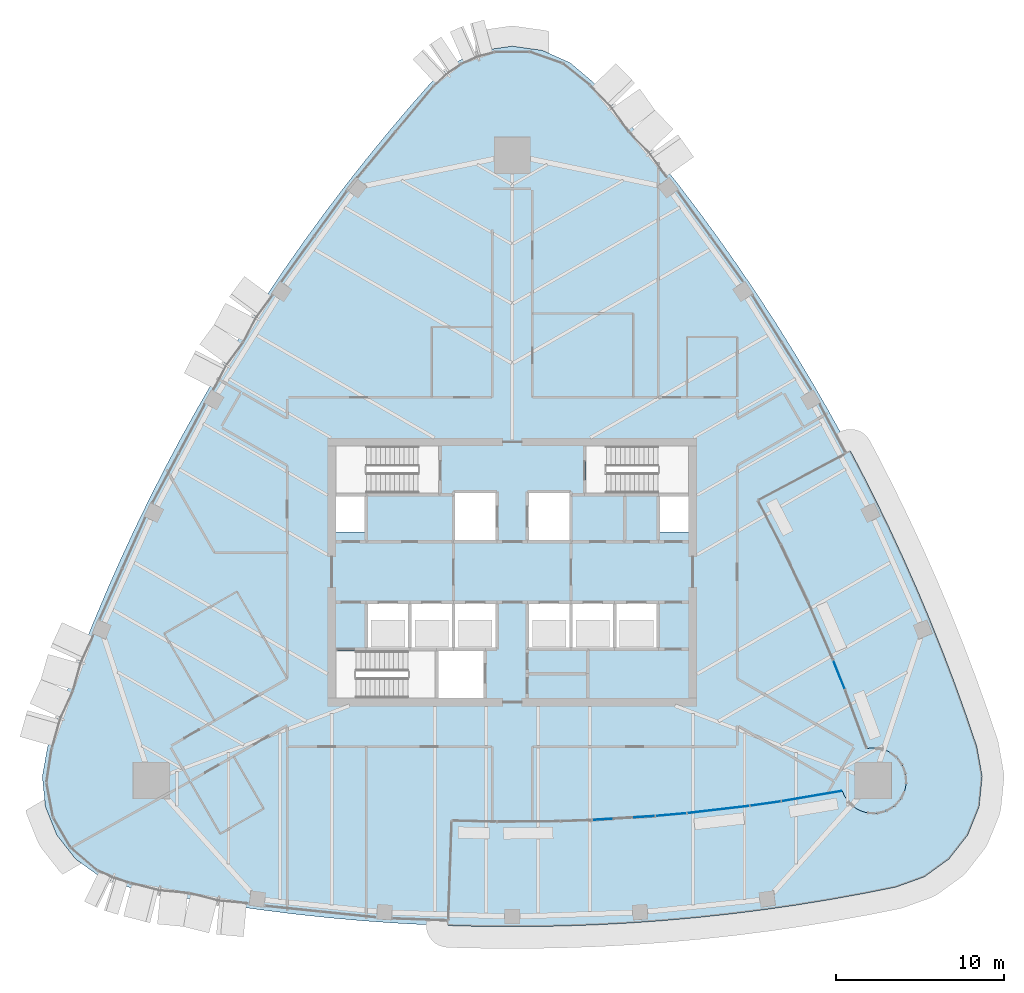
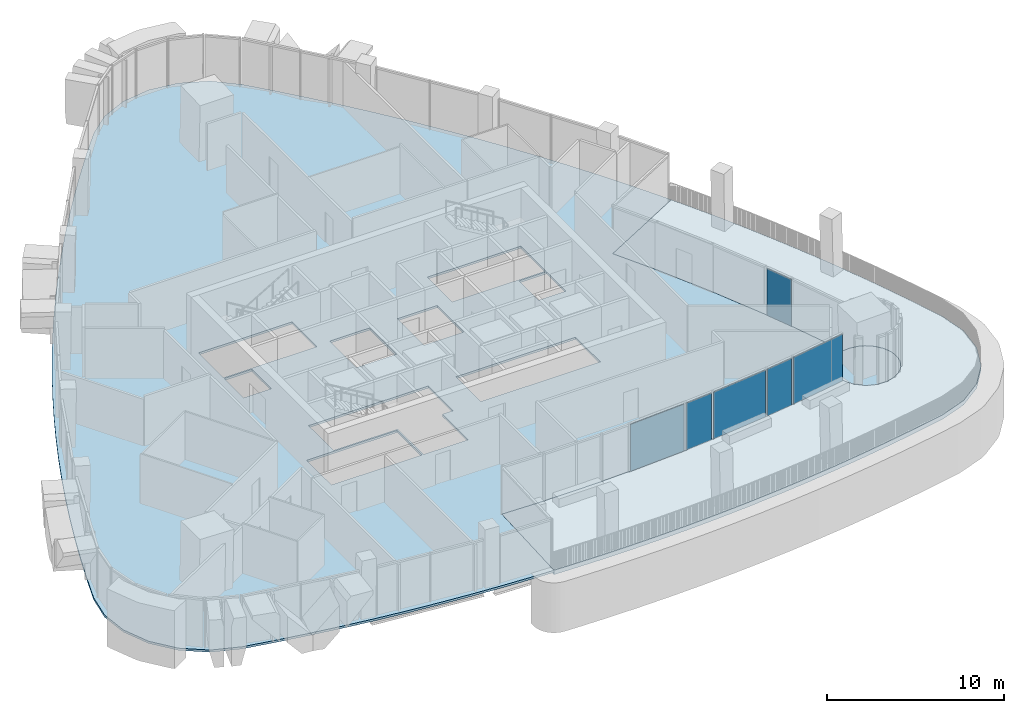
# One storey, part 10 of 21: 6 plates, 2 slabs, 6 elements without a shape of their own.
"""IFC4 building model written with IfcOpenShell, lengths in metres."""

from ifc_helpers import new_model, si_unit, direction, frame, origin, origin_2d, place, context, subcontext, project, spatial, polyline, rectangle, outline, extrude, material, layer, layer_set, type_object, element, aggregate, save


model = new_model("IFC4")

# Units and contexts
model_context = context("Model", 3, precision=1e-05, world=origin(), true_north=direction((0.0, 1.0)))
body_context = subcontext(model_context, "Body", "Model", "MODEL_VIEW")
ifc_project = project(units=[si_unit("LENGTHUNIT", "METRE"), si_unit("AREAUNIT", "SQUARE_METRE"), si_unit("VOLUMEUNIT", "CUBIC_METRE"), si_unit("PLANEANGLEUNIT", "RADIAN"), si_unit("MASSUNIT", "GRAM", prefix="KILO")], contexts=[model_context])

# Site, building, storey
site_placement = place(None, origin())
site = spatial("IfcSite", under=ifc_project, at=site_placement, CompositionType="ELEMENT")
building_placement = place(site_placement, origin())
building = spatial("IfcBuilding", under=site, at=building_placement, Name="Sierra Prisma Convention Tower", CompositionType="ELEMENT")
storey_placement = place(building_placement, frame((0.0, 0.0, 259.0)))
storey = spatial("IfcBuildingStorey", under=building, at=storey_placement, Name="L58", CompositionType="ELEMENT", Elevation=259.0)

# Curtain wall, plate
ifc_material_1 = material(Name="Aluminium and glass curtain wall", Category="aluminium")
ifc_layer_1 = layer(ifc_material_1, 0.179931640625)
ifc_layer_set_1 = layer_set([ifc_layer_1], Name="CW-6 Terrace recess curtain wall")
curtain_wall_type = type_object("IfcCurtainWallType", Name="CW-6 Terrace recess curtain wall", PredefinedType="NOTDEFINED", material=ifc_layer_set_1)
curtain_wall_1_placement = place(storey_placement, origin())
curtain_wall_1 = element("IfcCurtainWall", 1, at=curtain_wall_1_placement, inside=storey, type_object=curtain_wall_type, Name="CW-6 R4 L58", PredefinedType="NOTDEFINED")
ifc_material_2 = material(Name="Tinted glass bronze-grey IGU", Category="glass")
ifc_layer_2 = layer(ifc_material_2, 0.028076171875)
ifc_layer_set_2 = layer_set([ifc_layer_2], Name="CW-6 glass panel")
plate_type = type_object("IfcPlateType", Name="CW-6 glass panel", PredefinedType="CURTAIN_PANEL", material=ifc_layer_set_2)
plate_1_placement = place(storey_placement, frame((6.602783203125, -14.649169921875, 0.0), z_axis=(0.0, 0.0, 1.0), x_axis=(0.998046316859, 0.062478391496, 0.0)))
plate_1 = element("IfcPlate", 2, at=plate_1_placement, type_object=plate_type, Name="CW-6 panel R4.1", PredefinedType="CURTAIN_PANEL", context=body_context, shape_type="SweptSolid", body=[
    extrude(rectangle(XDim=3.6357421875, YDim=0.028076171875, at=origin_2d()), origin(), (0.0, 0.0, 1.0), 3.219970703125),
])
aggregate(curtain_wall_1, [plate_1])

curtain_wall_2_placement = place(storey_placement, origin())
curtain_wall_2 = element("IfcCurtainWall", 3, at=curtain_wall_2_placement, inside=storey, type_object=curtain_wall_type, Name="CW-6 R5 L58", PredefinedType="NOTDEFINED")
plate_2_placement = place(storey_placement, frame((9.42724609375, -14.447021484375, 0.0), z_axis=(0.0, 0.0, 1.0), x_axis=(0.996014243143, 0.089194324131, 0.0)))
plate_2 = element("IfcPlate", 4, at=plate_2_placement, type_object=plate_type, Name="CW-6 panel R5.1", PredefinedType="CURTAIN_PANEL", context=body_context, shape_type="SweptSolid", body=[
    extrude(rectangle(XDim=1.748046875, YDim=0.028076171875, at=origin_2d()), origin(), (0.0, 0.0, 1.0), 3.219970703125),
])
aggregate(curtain_wall_2, [plate_2])

curtain_wall_3_placement = place(storey_placement, origin())
curtain_wall_3 = element("IfcCurtainWall", 5, at=curtain_wall_3_placement, inside=storey, type_object=curtain_wall_type, Name="CW-6 R6 L58", PredefinedType="NOTDEFINED")
plate_3_placement = place(storey_placement, frame((12.24267578125, -14.144287109375, 0.0), z_axis=(0.0, 0.0, 1.0), x_axis=(0.993267160301, 0.11584622682, 0.0)))
plate_3 = element("IfcPlate", 6, at=plate_3_placement, type_object=plate_type, Name="CW-6 panel R6.1", PredefinedType="CURTAIN_PANEL", context=body_context, shape_type="SweptSolid", body=[
    extrude(rectangle(XDim=3.6357421875, YDim=0.028076171875, at=origin_2d()), origin(), (0.0, 0.0, 1.0), 3.219970703125),
])
aggregate(curtain_wall_3, [plate_3])

curtain_wall_4_placement = place(storey_placement, origin())
curtain_wall_4 = element("IfcCurtainWall", 7, at=curtain_wall_4_placement, inside=storey, type_object=curtain_wall_type, Name="CW-6 R7 L58", PredefinedType="NOTDEFINED")
plate_4_placement = place(storey_placement, frame((15.05224609375, -13.791015625, 0.0), z_axis=(0.0, 0.0, 1.0), x_axis=(0.989807040386, 0.142414966917, 0.0)))
plate_4 = element("IfcPlate", 8, at=plate_4_placement, type_object=plate_type, Name="CW-6 panel R7.1", PredefinedType="CURTAIN_PANEL", context=body_context, shape_type="SweptSolid", body=[
    extrude(rectangle(XDim=1.748046875, YDim=0.028076171875, at=origin_2d()), origin(), (0.0, 0.0, 1.0), 3.219970703125),
])
aggregate(curtain_wall_4, [plate_4])

curtain_wall_5_placement = place(storey_placement, origin())
curtain_wall_5 = element("IfcCurtainWall", 9, at=curtain_wall_5_placement, inside=storey, type_object=curtain_wall_type, Name="CW-6 R8 L58", PredefinedType="NOTDEFINED")
plate_5_placement = place(storey_placement, frame((17.82080078125, -13.342529296875, 0.0), z_axis=(0.0, 0.0, 1.0), x_axis=(0.98565823358, 0.168753804629, 0.0)))
plate_5 = element("IfcPlate", 10, at=plate_5_placement, type_object=plate_type, Name="CW-6 panel R8.1", PredefinedType="CURTAIN_PANEL", context=body_context, shape_type="SweptSolid", body=[
    extrude(rectangle(XDim=3.581787109375, YDim=0.028076171875, at=origin_2d()), origin(), (0.0, 0.0, 1.0), 3.219970703125),
])
aggregate(curtain_wall_5, [plate_5])

curtain_wall_6_placement = place(storey_placement, origin())
curtain_wall_6 = element("IfcCurtainWall", 11, at=curtain_wall_6_placement, inside=storey, type_object=curtain_wall_type, Name="CW-6 R28 L58", PredefinedType="NOTDEFINED")
plate_6_placement = place(storey_placement, frame((19.469482421875, -6.14013671875, 0.0), z_axis=(0.0, 0.0, 1.0), x_axis=(-0.371568540964, 0.928405525278, 0.0)))
plate_6 = element("IfcPlate", 12, at=plate_6_placement, type_object=plate_type, Name="CW-6 panel R28.1", PredefinedType="CURTAIN_PANEL", context=body_context, shape_type="SweptSolid", body=[
    extrude(rectangle(XDim=1.748046875, YDim=0.028076171875, at=origin_2d()), origin(), (0.0, 0.0, 1.0), 3.219970703125),
])
aggregate(curtain_wall_6, [plate_6])

# Slabs
ifc_material_3 = material(Name="Concrete C35/45", Category="concrete")
ifc_layer_3 = layer(ifc_material_3, 0.14990234375)
ifc_layer_set_3 = layer_set([ifc_layer_3], Name="Composite floor slab 150")
slab_type_1 = type_object("IfcSlabType", Name="Composite floor slab 150", PredefinedType="FLOOR", material=ifc_layer_set_3)
slab_1_placement = place(storey_placement, frame((0.0, 0.0, -0.14990234375)))
element("IfcSlab", 13, at=slab_1_placement, inside=storey, type_object=slab_type_1, Name="Floor slab L58 floor", PredefinedType="FLOOR", context=body_context, shape_type="SweptSolid", body=[
    extrude(outline(polyline([(-4.99755859375, -21.01123046875), (-3.826171875, -21.05322265625), (-3.611328125, -14.796875), (-0.944091796875, -14.868408203125), (2.831787109375, -14.834716796875), (4.718505859375, -14.767333984375), (8.487060546875, -14.53125), (10.367431640625, -14.363037109375), (14.117919921875, -13.925537109375), (15.986572265625, -13.65673828125), (19.655029296875, -13.028564453125), (19.787109375, -13.341796875), (20.0, -13.660400390625), (20.42529296875, -14.0458984375), (20.763427734375, -14.2265625), (21.13037109375, -14.337890625), (21.70361328125, -14.365966796875), (22.26025390625, -14.2265625), (22.75244140625, -13.931640625), (23.137939453125, -13.50634765625), (23.38330078125, -12.987548828125), (23.4580078125, -12.611572265625), (23.429931640625, -12.038330078125), (23.236572265625, -11.498046875), (22.894775390625, -11.037109375), (22.43359375, -10.695068359375), (22.07958984375, -10.54833984375), (21.51171875, -10.464111328125), (21.1103515625, -10.5068359375), (19.8203125, -7.016357421875), (19.11865234375, -5.263671875), (17.622314453125, -1.796875), (16.003173828125, 1.614013671875), (14.622802734375, 4.272216796875), (20.145751953125, 7.212890625), (19.7578125, 7.944091796875), (18.7890625, 9.693359375), (17.7890625, 11.425048828125), (16.758544921875, 13.138671875), (15.697509765625, 14.83349609375), (14.6064453125, 16.50927734375), (13.485595703125, 18.165283203125), (12.335205078125, 19.80078125), (11.15576171875, 21.415771484375), (9.947998046875, 23.00927734375), (8.711669921875, 24.5810546875), (7.447509765625, 26.13037109375), (6.156005859375, 27.656982421875), (4.837158203125, 29.16015625), (3.45166015625, 30.330810546875), (1.796142578125, 31.07177734375), (0.0, 31.325439453125), (-1.796142578125, 31.07177734375), (-3.45166015625, 30.330810546875), (-4.837158203125, 29.16015625), (-6.156005859375, 27.656982421875), (-7.447509765625, 26.13037109375), (-8.711669921875, 24.5810546875), (-9.947998046875, 23.00927734375), (-11.15576171875, 21.415771484375), (-12.335205078125, 19.80078125), (-13.485595703125, 18.165283203125), (-14.6064453125, 16.50927734375), (-15.697509765625, 14.83349609375), (-16.758544921875, 13.138671875), (-17.7890625, 11.425048828125), (-18.7890625, 9.693359375), (-19.7578125, 7.944091796875), (-20.695068359375, 6.177734375), (-21.6005859375, 4.394775390625), (-22.474365234375, 2.59619140625), (-23.315673828125, 0.7822265625), (-24.12451171875, -1.046630859375), (-24.900634765625, -2.889404296875), (-25.6435546875, -4.74609375), (-26.353271484375, -6.615478515625), (-27.029541015625, -8.497314453125), (-27.672119140625, -10.390869140625), (-27.992919921875, -12.176025390625), (-27.806884765625, -13.98046875), (-27.128662109375, -15.66259765625), (-26.010986328125, -17.09130859375), (-24.541259765625, -18.154541015625), (-22.834716796875, -18.769287109375), (-20.87353515625, -19.15966796875), (-18.90576171875, -19.514892578125), (-16.931884765625, -19.8349609375), (-14.95263671875, -20.119873046875), (-12.96875, -20.369140625), (-10.98046875, -20.5830078125), (-8.98876953125, -20.761474609375), (-6.994384765625, -20.904052734375), (-4.99755859375, -21.01123046875)]), holes=[polyline([(-4.60009765625, -4.699951171875), (-4.60009765625, -7.5), (-10.5, -7.5), (-10.5, -4.699951171875), (-4.60009765625, -4.699951171875)]), polyline([(-4.5, -7.5), (-4.5, -4.60009765625), (-6.10009765625, -4.60009765625), (-8.699951171875, -4.60009765625), (-8.699951171875, -1.800048828125), (-6.10009765625, -1.800048828125), (-3.5, -1.800048828125), (-0.89990234375, -1.800048828125), (-0.89990234375, -4.60009765625), (-1.60009765625, -4.60009765625), (-1.60009765625, -7.5), (-4.5, -7.5)]), polyline([(-8.699951171875, 2.39990234375), (-10.5, 2.39990234375), (-10.5, 4.60009765625), (-8.699951171875, 4.60009765625), (-8.699951171875, 2.39990234375)]), polyline([(-4.39990234375, 4.699951171875), (-10.5, 4.699951171875), (-10.5, 7.5), (-4.39990234375, 7.5), (-4.39990234375, 4.699951171875)]), polyline([(3.5, -1.800048828125), (6.10009765625, -1.800048828125), (8.699951171875, -1.800048828125), (8.699951171875, -4.60009765625), (6.10009765625, -4.60009765625), (3.5, -4.60009765625), (0.89990234375, -4.60009765625), (0.89990234375, -1.800048828125), (3.5, -1.800048828125)]), polyline([(-0.89990234375, 1.800048828125), (-3.5, 1.800048828125), (-3.5, 4.800048828125), (-0.89990234375, 4.800048828125), (-0.89990234375, 1.800048828125)]), polyline([(3.5, 1.800048828125), (0.89990234375, 1.800048828125), (0.89990234375, 4.800048828125), (3.5, 4.800048828125), (3.5, 1.800048828125)]), polyline([(10.5, 2.39990234375), (8.699951171875, 2.39990234375), (8.699951171875, 4.60009765625), (10.5, 4.60009765625), (10.5, 2.39990234375)]), polyline([(10.5, 4.699951171875), (4.39990234375, 4.699951171875), (4.39990234375, 7.5), (10.5, 7.5), (10.5, 4.699951171875)])]), origin(), (0.0, 0.0, 1.0), 0.14990234375),
])
ifc_material_4 = material(Name="Concrete C50/60", Category="concrete")
ifc_layer_4 = layer(ifc_material_4, 0.300048828125)
ifc_layer_set_4 = layer_set([ifc_layer_4], Name="Terrace slab")
slab_type_2 = type_object("IfcSlabType", Name="Terrace slab", PredefinedType="FLOOR", material=ifc_layer_set_4)
slab_2_placement = place(storey_placement, frame((0.0, 0.0, -0.300048828125)))
element("IfcSlab", 14, at=slab_2_placement, inside=storey, type_object=slab_type_2, Name="Terrace slab L58", PredefinedType="FLOOR", context=body_context, shape_type="SweptSolid", body=[
    extrude(outline(polyline([(-3.826171875, -21.05322265625), (-2.9990234375, -21.082763671875), (-0.999755859375, -21.118408203125), (0.999755859375, -21.118408203125), (2.9990234375, -21.082763671875), (4.99755859375, -21.01123046875), (6.994384765625, -20.904052734375), (8.98876953125, -20.761474609375), (10.98046875, -20.5830078125), (12.96875, -20.369140625), (14.95263671875, -20.119873046875), (16.931884765625, -19.8349609375), (18.90576171875, -19.514892578125), (20.87353515625, -19.15966796875), (22.834716796875, -18.769287109375), (24.541259765625, -18.154541015625), (26.010986328125, -17.09130859375), (27.128662109375, -15.66259765625), (27.806884765625, -13.98046875), (27.992919921875, -12.176025390625), (27.672119140625, -10.390869140625), (27.029541015625, -8.497314453125), (26.353271484375, -6.615478515625), (25.6435546875, -4.74609375), (24.900634765625, -2.889404296875), (24.12451171875, -1.046630859375), (23.315673828125, 0.7822265625), (22.474365234375, 2.59619140625), (21.6005859375, 4.394775390625), (20.695068359375, 6.177734375), (20.145751953125, 7.212890625), (14.622802734375, 4.272216796875), (16.003173828125, 1.614013671875), (17.622314453125, -1.796875), (19.11865234375, -5.263671875), (19.8203125, -7.016357421875), (21.1103515625, -10.5068359375), (21.51171875, -10.464111328125), (22.07958984375, -10.54833984375), (22.43359375, -10.695068359375), (22.894775390625, -11.037109375), (23.236572265625, -11.498046875), (23.429931640625, -12.038330078125), (23.4580078125, -12.611572265625), (23.38330078125, -12.987548828125), (23.137939453125, -13.50634765625), (22.75244140625, -13.931640625), (22.26025390625, -14.2265625), (21.70361328125, -14.365966796875), (21.13037109375, -14.337890625), (20.763427734375, -14.2265625), (20.42529296875, -14.0458984375), (20.0, -13.660400390625), (19.787109375, -13.341796875), (19.655029296875, -13.028564453125), (15.986572265625, -13.65673828125), (14.117919921875, -13.925537109375), (10.367431640625, -14.363037109375), (8.487060546875, -14.53125), (4.718505859375, -14.767333984375), (2.831787109375, -14.834716796875), (-0.944091796875, -14.868408203125), (-3.611328125, -14.796875), (-3.826171875, -21.05322265625)])), origin(), (0.0, 0.0, 1.0), 0.300048828125),
])

save(model, "model.ifc")
